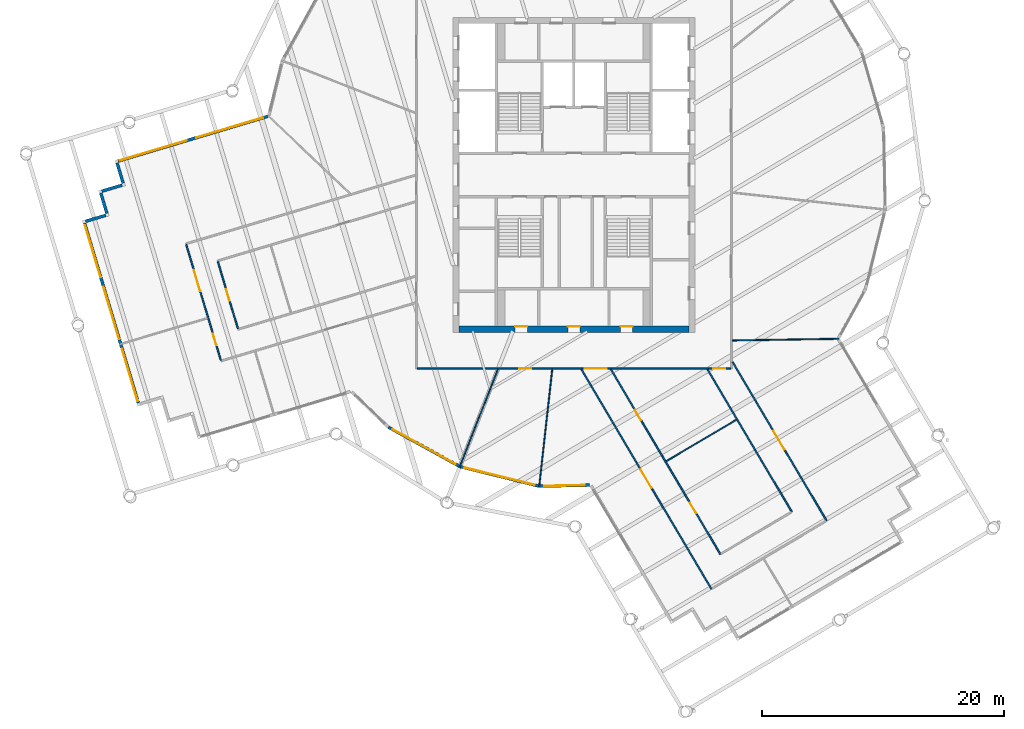
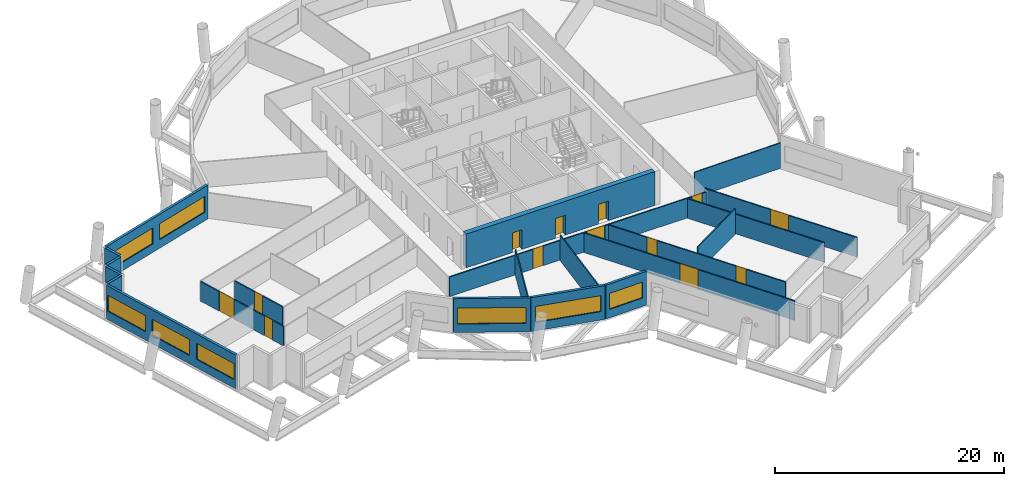
# One storey, part 3 of 11: 21 walls, 13 doors, 8 windows, 21 openings.
"""IFC4 building model written with IfcOpenShell, lengths in metres."""

from ifc_helpers import new_model, si_unit, direction, frame, frame_2d, origin, place, context, subcontext, project, spatial, rectangle, extrude, material, layer, layer_set, type_object, element, fill, save


model = new_model("IFC4")

# Units and contexts
model_context = context("Model", 3, precision=1e-05, world=origin(), true_north=direction((0.0, 1.0)))
body_context = subcontext(model_context, "Body", "Model", "MODEL_VIEW")
ifc_project = project(units=[si_unit("LENGTHUNIT", "METRE"), si_unit("AREAUNIT", "SQUARE_METRE"), si_unit("VOLUMEUNIT", "CUBIC_METRE"), si_unit("PLANEANGLEUNIT", "RADIAN"), si_unit("MASSUNIT", "GRAM", prefix="KILO")], contexts=[model_context])

# Site, building, storey
site_placement = place(None, origin())
site = spatial("IfcSite", under=ifc_project, at=site_placement, CompositionType="ELEMENT")
building_placement = place(site_placement, origin())
building = spatial("IfcBuilding", under=site, at=building_placement, Name="Tarsis Ring Headquarters", CompositionType="ELEMENT")
storey_placement = place(building_placement, frame((0.0, 0.0, 350.89990234375)))
storey = spatial("IfcBuildingStorey", under=building, at=storey_placement, Name="L83", CompositionType="ELEMENT", Elevation=350.89990234375)

# Wall, openings, doors
ifc_material_1 = material(Name="Concrete C50/60", Category="concrete")
ifc_layer_1 = layer(ifc_material_1, 0.5)
ifc_layer_set_1 = layer_set([ifc_layer_1], Name="Core wall 500 C50/60")
wall_type_1 = type_object("IfcWallType", Name="Core wall 500 C50/60", PredefinedType="SHEAR", material=ifc_layer_set_1)
wall_1_placement = place(storey_placement, frame((-9.5, -12.75, 0.0), z_axis=(0.0, 0.0, 1.0), x_axis=(1.0, 0.0, 0.0)))
wall_1 = element("IfcWall", 1, at=wall_1_placement, inside=storey, type_object=wall_type_1, Name="Core wall OS", PredefinedType="SHEAR", context=body_context, shape_type="SweptSolid", body=[
    extrude(rectangle(XDim=19.0, YDim=0.5, at=frame_2d((9.5, 0.0))), origin(), (0.0, 0.0, 1.0), 3.60009765625),
])
opening_1_placement = place(wall_1_placement, frame((4.64990234375, 0.0, 0.0)))
opening_1 = element("IfcOpeningElement", 2, at=opening_1_placement, cuts=wall_1, Name="Opening L83-C19", PredefinedType="OPENING", context=body_context, shape_type="SweptSolid", body=[
    extrude(rectangle(XDim=1.0, YDim=2.10009765625, at=frame_2d((0.5, 1.050048828125))), frame((0.0, 0.260009765625, 0.0), z_axis=(0.0, -1.0, 0.0), x_axis=(1.0, 0.0, 0.0)), (0.0, 0.0, 1.0), 0.52001953125),
])
opening_2_placement = place(wall_1_placement, frame((9.0, 0.0, 0.0)))
opening_2 = element("IfcOpeningElement", 3, at=opening_2_placement, cuts=wall_1, Name="Opening L83-C20", PredefinedType="OPENING", context=body_context, shape_type="SweptSolid", body=[
    extrude(rectangle(XDim=1.0, YDim=2.10009765625, at=frame_2d((0.5, 1.050048828125))), frame((0.0, 0.260009765625, 0.0), z_axis=(0.0, -1.0, 0.0), x_axis=(1.0, 0.0, 0.0)), (0.0, 0.0, 1.0), 0.52001953125),
])
opening_3_placement = place(wall_1_placement, frame((13.35009765625, 0.0, 0.0)))
opening_3 = element("IfcOpeningElement", 4, at=opening_3_placement, cuts=wall_1, Name="Opening L83-C21", PredefinedType="OPENING", context=body_context, shape_type="SweptSolid", body=[
    extrude(rectangle(XDim=1.0, YDim=2.10009765625, at=frame_2d((0.5, 1.050048828125))), frame((0.0, 0.260009765625, 0.0), z_axis=(0.0, -1.0, 0.0), x_axis=(1.0, 0.0, 0.0)), (0.0, 0.0, 1.0), 0.52001953125),
])
ifc_material_2 = material(Name="Steel S355", Category="steel")
door_type_1 = type_object("IfcDoorType", Name="Core room door 1000x2100", OperationType="SINGLE_SWING_LEFT", PredefinedType="DOOR", material=ifc_material_2)
door_1_placement = place(opening_1_placement, origin())
door_1 = element("IfcDoor", 5, at=door_1_placement, inside=storey, type_object=door_type_1, Name="Core room door L83", OperationType="SINGLE_SWING_LEFT", OverallHeight=2.10009765625, OverallWidth=1.0, PredefinedType="DOOR", context=body_context, shape_type="SweptSolid", body=[
    extrude(rectangle(XDim=1.0, YDim=2.10009765625, at=frame_2d((0.5, 1.050048828125))), frame((0.0, 0.25, 0.0), z_axis=(0.0, -1.0, 0.0), x_axis=(1.0, 0.0, 0.0)), (0.0, 0.0, 1.0), 0.050048828125),
])
fill(opening_1, door_1)
door_2_placement = place(opening_2_placement, origin())
door_2 = element("IfcDoor", 6, at=door_2_placement, inside=storey, type_object=door_type_1, Name="Core room door L83", OperationType="SINGLE_SWING_LEFT", OverallHeight=2.10009765625, OverallWidth=1.0, PredefinedType="DOOR", context=body_context, shape_type="SweptSolid", body=[
    extrude(rectangle(XDim=1.0, YDim=2.10009765625, at=frame_2d((0.5, 1.050048828125))), frame((0.0, 0.25, 0.0), z_axis=(0.0, -1.0, 0.0), x_axis=(1.0, 0.0, 0.0)), (0.0, 0.0, 1.0), 0.050048828125),
])
fill(opening_2, door_2)
door_3_placement = place(opening_3_placement, origin())
door_3 = element("IfcDoor", 7, at=door_3_placement, inside=storey, type_object=door_type_1, Name="Core room door L83", OperationType="SINGLE_SWING_LEFT", OverallHeight=2.10009765625, OverallWidth=1.0, PredefinedType="DOOR", context=body_context, shape_type="SweptSolid", body=[
    extrude(rectangle(XDim=1.0, YDim=2.10009765625, at=frame_2d((0.5, 1.050048828125))), frame((0.0, 0.25, 0.0), z_axis=(0.0, -1.0, 0.0), x_axis=(1.0, 0.0, 0.0)), (0.0, 0.0, 1.0), 0.050048828125),
])
fill(opening_3, door_3)

# Walls
ifc_material_3 = material(Name="Gypsum board on steel studs", Category="steel")
ifc_layer_2 = layer(ifc_material_3, 0.10009765625)
ifc_layer_set_2 = layer_set([ifc_layer_2], Name="FL partition 100 unrated")
wall_type_2 = type_object("IfcWallType", Name="FL partition 100 unrated", PredefinedType="PARTITIONING", material=ifc_layer_set_2)
wall_2_placement = place(storey_placement, frame((-2.87451171875, -25.7880859375, 0.0), z_axis=(0.0, 0.0, 1.0), x_axis=(0.110801449291, 0.993842562399, 0.0)))
element("IfcWall", 8, at=wall_2_placement, inside=storey, type_object=wall_type_2, Name="Partition PW3", PredefinedType="PARTITIONING", context=body_context, shape_type="SweptSolid", body=[
    extrude(rectangle(XDim=9.77880859375, YDim=0.10009765625, at=frame_2d((4.889404296875, 0.0))), origin(), (0.0, 0.0, 1.0), 2.7001953125),
])
wall_3_placement = place(storey_placement, frame((13.070068359375, -13.6787109375, 0.0), z_axis=(0.0, 0.0, 1.0), x_axis=(0.999879213275, 0.015542163937, 0.0)))
element("IfcWall", 9, at=wall_3_placement, inside=storey, type_object=wall_type_2, Name="Partition PW3", PredefinedType="PARTITIONING", context=body_context, shape_type="SweptSolid", body=[
    extrude(rectangle(XDim=8.812255859375, YDim=0.10009765625, at=frame_2d((4.40625, 0.0))), origin(), (0.0, 0.0, 1.0), 2.7001953125),
])
wall_4_placement = place(storey_placement, frame((-9.450927734375, -24.16552734375, 0.0), z_axis=(0.0, 0.0, 1.0), x_axis=(0.364223454374, 0.93131158872, 0.0)))
element("IfcWall", 10, at=wall_4_placement, inside=storey, type_object=wall_type_2, Name="Partition PW3", PredefinedType="PARTITIONING", context=body_context, shape_type="SweptSolid", body=[
    extrude(rectangle(XDim=8.687744140625, YDim=0.10009765625, at=frame_2d((4.34375, 0.0))), origin(), (0.0, 0.0, 1.0), 2.7001953125),
])
wall_5_placement = place(storey_placement, frame((7.630126953125, -23.65380859375, 0.0), z_axis=(0.0, 0.0, 1.0), x_axis=(0.86039301806, 0.509631096455, 0.0)))
element("IfcWall", 11, at=wall_5_placement, inside=storey, type_object=wall_type_2, Name="Partition PW3", PredefinedType="PARTITIONING", context=body_context, shape_type="SweptSolid", body=[
    extrude(rectangle(XDim=6.72021484375, YDim=0.10009765625, at=frame_2d((3.360107421875, 0.0))), origin(), (0.0, 0.0, 1.0), 2.7001953125),
])

# Wall, openings, doors
ifc_layer_3 = layer(ifc_material_3, 0.125)
ifc_layer_set_3 = layer_set([ifc_layer_3], Name="FL partition 125 EI 60 H2080")
wall_type_3 = type_object("IfcWallType", Name="FL partition 125 EI 60 H2080", PredefinedType="PARTITIONING", material=ifc_layer_set_3)
wall_6_placement = place(storey_placement, frame((-12.93994140625, -16.0, 0.0), z_axis=(0.0, 0.0, 1.0), x_axis=(1.0, 0.0, 0.0)))
wall_6 = element("IfcWall", 12, at=wall_6_placement, inside=storey, type_object=wall_type_3, Name="Partition PW1H208", PredefinedType="PARTITIONING", context=body_context, shape_type="SweptSolid", body=[
    extrude(rectangle(XDim=25.8798828125, YDim=0.125, at=frame_2d((12.93994140625, 0.0))), origin(), (0.0, 0.0, 1.0), 2.080078125),
])
opening_4_placement = place(wall_6_placement, frame((8.419677734375, 0.0, 0.0)))
opening_4 = element("IfcOpeningElement", 13, at=opening_4_placement, cuts=wall_6, Name="Opening D83.12", PredefinedType="OPENING", context=body_context, shape_type="SweptSolid", body=[
    extrude(rectangle(XDim=1.0, YDim=2.10009765625, at=frame_2d((0.5, 1.050048828125))), frame((0.0, 0.072509765625, 0.0), z_axis=(0.0, -1.0, 0.0), x_axis=(1.0, 0.0, 0.0)), (0.0, 0.0, 1.0), 0.14501953125),
])
opening_5_placement = place(wall_6_placement, frame((13.8349609375, 0.0, 0.0)))
opening_5 = element("IfcOpeningElement", 14, at=opening_5_placement, cuts=wall_6, Name="Opening D83.18", PredefinedType="OPENING", context=body_context, shape_type="SweptSolid", body=[
    extrude(rectangle(XDim=1.800048828125, YDim=2.10009765625, at=frame_2d((0.89990234375, 1.050048828125))), frame((0.0, 0.072509765625, 0.0), z_axis=(0.0, -1.0, 0.0), x_axis=(1.0, 0.0, 0.0)), (0.0, 0.0, 1.0), 0.14501953125),
])
opening_6_placement = place(wall_6_placement, frame((24.43408203125, 0.0, 0.0)))
opening_6 = element("IfcOpeningElement", 15, at=opening_6_placement, cuts=wall_6, Name="Opening D83.19", PredefinedType="OPENING", context=body_context, shape_type="SweptSolid", body=[
    extrude(rectangle(XDim=1.0, YDim=2.10009765625, at=frame_2d((0.5, 1.050048828125))), frame((0.0, 0.072509765625, 0.0), z_axis=(0.0, -1.0, 0.0), x_axis=(1.0, 0.0, 0.0)), (0.0, 0.0, 1.0), 0.14501953125),
])
ifc_material_4 = material(Name="Fire-rated timber door leaf in steel frame", Category="steel")
door_type_2 = type_object("IfcDoorType", Name="FL door FD60-1000", OperationType="NOTDEFINED", PredefinedType="DOOR", material=ifc_material_4)
door_4_placement = place(opening_4_placement, origin())
door_4 = element("IfcDoor", 16, at=door_4_placement, inside=storey, type_object=door_type_2, Name="Door D83.12", OperationType="SINGLE_SWING_LEFT", OverallHeight=2.10009765625, OverallWidth=1.0, PredefinedType="DOOR", context=body_context, shape_type="SweptSolid", body=[
    extrude(rectangle(XDim=1.0, YDim=2.10009765625, at=frame_2d((0.5, 1.050048828125))), frame((0.0, 0.02490234375, 0.0), z_axis=(0.0, -1.0, 0.0), x_axis=(1.0, 0.0, 0.0)), (0.0, 0.0, 1.0), 0.050048828125),
])
fill(opening_4, door_4)
door_5_placement = place(opening_6_placement, origin())
door_5 = element("IfcDoor", 17, at=door_5_placement, inside=storey, type_object=door_type_2, Name="Door D83.19", OperationType="SINGLE_SWING_RIGHT", OverallHeight=2.10009765625, OverallWidth=1.0, PredefinedType="DOOR", context=body_context, shape_type="SweptSolid", body=[
    extrude(rectangle(XDim=1.0, YDim=2.10009765625, at=frame_2d((0.5, 1.050048828125))), frame((0.0, 0.02490234375, 0.0), z_axis=(0.0, -1.0, 0.0), x_axis=(1.0, 0.0, 0.0)), (0.0, 0.0, 1.0), 0.050048828125),
])
fill(opening_6, door_5)
door_type_3 = type_object("IfcDoorType", Name="FL door FD60-1800", OperationType="DOUBLE_DOOR_SINGLE_SWING", PredefinedType="DOOR", material=ifc_material_4)
door_6_placement = place(opening_5_placement, origin())
door_6 = element("IfcDoor", 18, at=door_6_placement, inside=storey, type_object=door_type_3, Name="Door D83.18", OperationType="DOUBLE_DOOR_SINGLE_SWING", OverallHeight=2.10009765625, OverallWidth=1.800048828125, PredefinedType="DOOR", context=body_context, shape_type="SweptSolid", body=[
    extrude(rectangle(XDim=1.800048828125, YDim=2.10009765625, at=frame_2d((0.89990234375, 1.050048828125))), frame((0.0, 0.02490234375, 0.0), z_axis=(0.0, -1.0, 0.0), x_axis=(1.0, 0.0, 0.0)), (0.0, 0.0, 1.0), 0.050048828125),
])
fill(opening_5, door_6)

# Wall, opening, door
wall_7_placement = place(storey_placement, frame((0.62548828125, -16.0859375, 0.0), z_axis=(0.0, 0.0, 1.0), x_axis=(0.509630794989, -0.860393196625, 0.0)))
wall_7 = element("IfcWall", 19, at=wall_7_placement, inside=storey, type_object=wall_type_3, Name="Partition PW1H208", PredefinedType="PARTITIONING", context=body_context, shape_type="SweptSolid", body=[
    extrude(rectangle(XDim=21.06103515625, YDim=0.125, at=frame_2d((10.530517578125, 0.0))), origin(), (0.0, 0.0, 1.0), 2.080078125),
])
opening_7_placement = place(wall_7_placement, frame((9.58056640625, 0.0, 0.0)))
opening_7 = element("IfcOpeningElement", 20, at=opening_7_placement, cuts=wall_7, Name="Opening D83.11", PredefinedType="OPENING", context=body_context, shape_type="SweptSolid", body=[
    extrude(rectangle(XDim=1.800048828125, YDim=2.10009765625, at=frame_2d((0.89990234375, 1.050048828125))), frame((0.0, 0.072509765625, 0.0), z_axis=(0.0, -1.0, 0.0), x_axis=(1.0, 0.0, 0.0)), (0.0, 0.0, 1.0), 0.14501953125),
])
door_7_placement = place(opening_7_placement, origin())
door_7 = element("IfcDoor", 21, at=door_7_placement, inside=storey, type_object=door_type_3, Name="Door D83.11", OperationType="DOUBLE_DOOR_SINGLE_SWING", OverallHeight=2.10009765625, OverallWidth=1.800048828125, PredefinedType="DOOR", context=body_context, shape_type="SweptSolid", body=[
    extrude(rectangle(XDim=1.800048828125, YDim=2.10009765625, at=frame_2d((0.89990234375, 1.050048828125))), frame((0.0, 0.02490234375, 0.0), z_axis=(0.0, -1.0, 0.0), x_axis=(1.0, 0.0, 0.0)), (0.0, 0.0, 1.0), 0.050048828125),
])
fill(opening_7, door_7)

# Wall, openings, doors
wall_8_placement = place(storey_placement, frame((3.066162109375, -16.0859375, 0.0), z_axis=(0.0, 0.0, 1.0), x_axis=(0.509646383246, -0.860383963149, 0.0)))
wall_8 = element("IfcWall", 22, at=wall_8_placement, inside=storey, type_object=wall_type_3, Name="Partition PW1H208", PredefinedType="PARTITIONING", context=body_context, shape_type="SweptSolid", body=[
    extrude(rectangle(XDim=17.71728515625, YDim=0.125, at=frame_2d((8.858642578125, 0.0))), origin(), (0.0, 0.0, 1.0), 2.080078125),
])
opening_8_placement = place(wall_8_placement, frame((3.869140625, 0.0, 0.0)))
opening_8 = element("IfcOpeningElement", 23, at=opening_8_placement, cuts=wall_8, Name="Opening D83.16", PredefinedType="OPENING", context=body_context, shape_type="SweptSolid", body=[
    extrude(rectangle(XDim=1.0, YDim=2.10009765625, at=frame_2d((0.5, 1.050048828125))), frame((0.0, 0.072509765625, 0.0), z_axis=(0.0, -1.0, 0.0), x_axis=(1.0, 0.0, 0.0)), (0.0, 0.0, 1.0), 0.14501953125),
])
opening_9_placement = place(wall_8_placement, frame((12.777587890625, 0.0, 0.0)))
opening_9 = element("IfcOpeningElement", 24, at=opening_9_placement, cuts=wall_8, Name="Opening D83.17", PredefinedType="OPENING", context=body_context, shape_type="SweptSolid", body=[
    extrude(rectangle(XDim=1.0, YDim=2.10009765625, at=frame_2d((0.5, 1.050048828125))), frame((0.0, 0.072509765625, 0.0), z_axis=(0.0, -1.0, 0.0), x_axis=(1.0, 0.0, 0.0)), (0.0, 0.0, 1.0), 0.14501953125),
])
door_8_placement = place(opening_8_placement, origin())
door_8 = element("IfcDoor", 25, at=door_8_placement, inside=storey, type_object=door_type_2, Name="Door D83.16", OperationType="SINGLE_SWING_LEFT", OverallHeight=2.10009765625, OverallWidth=1.0, PredefinedType="DOOR", context=body_context, shape_type="SweptSolid", body=[
    extrude(rectangle(XDim=1.0, YDim=2.10009765625, at=frame_2d((0.5, 1.050048828125))), frame((0.0, 0.02490234375, 0.0), z_axis=(0.0, -1.0, 0.0), x_axis=(1.0, 0.0, 0.0)), (0.0, 0.0, 1.0), 0.050048828125),
])
fill(opening_8, door_8)
door_9_placement = place(opening_9_placement, origin())
door_9 = element("IfcDoor", 26, at=door_9_placement, inside=storey, type_object=door_type_2, Name="Door D83.17", OperationType="SINGLE_SWING_RIGHT", OverallHeight=2.10009765625, OverallWidth=1.0, PredefinedType="DOOR", context=body_context, shape_type="SweptSolid", body=[
    extrude(rectangle(XDim=1.0, YDim=2.10009765625, at=frame_2d((0.5, 1.050048828125))), frame((0.0, 0.02490234375, 0.0), z_axis=(0.0, -1.0, 0.0), x_axis=(1.0, 0.0, 0.0)), (0.0, 0.0, 1.0), 0.050048828125),
])
fill(opening_9, door_9)

# Wall, opening, door
wall_9_placement = place(storey_placement, frame((13.10693359375, -15.456298828125, 0.0), z_axis=(0.0, 0.0, 1.0), x_axis=(0.509653978317, -0.860379464182, 0.0)))
wall_9 = element("IfcWall", 27, at=wall_9_placement, inside=storey, type_object=wall_type_3, Name="Partition PW1H208", PredefinedType="PARTITIONING", context=body_context, shape_type="SweptSolid", body=[
    extrude(rectangle(XDim=15.241943359375, YDim=0.125, at=frame_2d((7.62109375, 0.0))), origin(), (0.0, 0.0, 1.0), 2.080078125),
])
opening_10_placement = place(wall_9_placement, frame((6.615966796875, 0.0, 0.0)))
opening_10 = element("IfcOpeningElement", 28, at=opening_10_placement, cuts=wall_9, Name="Opening D83.10", PredefinedType="OPENING", context=body_context, shape_type="SweptSolid", body=[
    extrude(rectangle(XDim=1.800048828125, YDim=2.10009765625, at=frame_2d((0.89990234375, 1.050048828125))), frame((0.0, 0.072509765625, 0.0), z_axis=(0.0, -1.0, 0.0), x_axis=(1.0, 0.0, 0.0)), (0.0, 0.0, 1.0), 0.14501953125),
])
door_10_placement = place(opening_10_placement, origin())
door_10 = element("IfcDoor", 29, at=door_10_placement, inside=storey, type_object=door_type_3, Name="Door D83.10", OperationType="DOUBLE_DOOR_SINGLE_SWING", OverallHeight=2.10009765625, OverallWidth=1.800048828125, PredefinedType="DOOR", context=body_context, shape_type="SweptSolid", body=[
    extrude(rectangle(XDim=1.800048828125, YDim=2.10009765625, at=frame_2d((0.89990234375, 1.050048828125))), frame((0.0, 0.02490234375, 0.0), z_axis=(0.0, -1.0, 0.0), x_axis=(1.0, 0.0, 0.0)), (0.0, 0.0, 1.0), 0.050048828125),
])
fill(opening_10, door_10)

# Wall
wall_10_placement = place(storey_placement, frame((11.039306640625, -16.0859375, 0.0), z_axis=(0.0, 0.0, 1.0), x_axis=(0.509638676411, -0.860388528228, 0.0)))
element("IfcWall", 30, at=wall_10_placement, inside=storey, type_object=wall_type_3, Name="Partition PW1H208", PredefinedType="PARTITIONING", context=body_context, shape_type="SweptSolid", body=[
    extrude(rectangle(XDim=13.65380859375, YDim=0.125, at=frame_2d((6.826904296875, 0.0))), origin(), (0.0, 0.0, 1.0), 2.080078125),
])

# Wall, openings, doors
wall_11_placement = place(storey_placement, frame((-32.024169921875, -5.751220703125, 0.0), z_axis=(0.0, 0.0, 1.0), x_axis=(0.286364722714, -0.958120684249, 0.0)))
wall_11 = element("IfcWall", 31, at=wall_11_placement, inside=storey, type_object=wall_type_3, Name="Partition PW1H208", PredefinedType="PARTITIONING", context=body_context, shape_type="SweptSolid", body=[
    extrude(rectangle(XDim=9.97998046875, YDim=0.125, at=frame_2d((4.989990234375, 0.0))), origin(), (0.0, 0.0, 1.0), 2.080078125),
])
opening_11_placement = place(wall_11_placement, frame((7.683349609375, 0.0, 0.0)))
opening_11 = element("IfcOpeningElement", 32, at=opening_11_placement, cuts=wall_11, Name="Opening D83.01", PredefinedType="OPENING", context=body_context, shape_type="SweptSolid", body=[
    extrude(rectangle(XDim=1.0, YDim=2.10009765625, at=frame_2d((0.5, 1.050048828125))), frame((0.0, 0.072509765625, 0.0), z_axis=(0.0, -1.0, 0.0), x_axis=(1.0, 0.0, 0.0)), (0.0, 0.0, 1.0), 0.14501953125),
])
opening_12_placement = place(wall_11_placement, frame((2.2333984375, 0.0, 0.0)))
opening_12 = element("IfcOpeningElement", 33, at=opening_12_placement, cuts=wall_11, Name="Opening D83.02", PredefinedType="OPENING", context=body_context, shape_type="SweptSolid", body=[
    extrude(rectangle(XDim=1.800048828125, YDim=2.10009765625, at=frame_2d((0.89990234375, 1.050048828125))), frame((0.0, 0.072509765625, 0.0), z_axis=(0.0, -1.0, 0.0), x_axis=(1.0, 0.0, 0.0)), (0.0, 0.0, 1.0), 0.14501953125),
])
door_11_placement = place(opening_11_placement, origin())
door_11 = element("IfcDoor", 34, at=door_11_placement, inside=storey, type_object=door_type_2, Name="Door D83.01", OperationType="SINGLE_SWING_RIGHT", OverallHeight=2.10009765625, OverallWidth=1.0, PredefinedType="DOOR", context=body_context, shape_type="SweptSolid", body=[
    extrude(rectangle(XDim=1.0, YDim=2.10009765625, at=frame_2d((0.5, 1.050048828125))), frame((0.0, 0.02490234375, 0.0), z_axis=(0.0, -1.0, 0.0), x_axis=(1.0, 0.0, 0.0)), (0.0, 0.0, 1.0), 0.050048828125),
])
fill(opening_11, door_11)
door_12_placement = place(opening_12_placement, origin())
door_12 = element("IfcDoor", 35, at=door_12_placement, inside=storey, type_object=door_type_3, Name="Door D83.02", OperationType="DOUBLE_DOOR_SINGLE_SWING", OverallHeight=2.10009765625, OverallWidth=1.800048828125, PredefinedType="DOOR", context=body_context, shape_type="SweptSolid", body=[
    extrude(rectangle(XDim=1.800048828125, YDim=2.10009765625, at=frame_2d((0.89990234375, 1.050048828125))), frame((0.0, 0.02490234375, 0.0), z_axis=(0.0, -1.0, 0.0), x_axis=(1.0, 0.0, 0.0)), (0.0, 0.0, 1.0), 0.050048828125),
])
fill(opening_12, door_12)

# Wall, opening, door
wall_12_placement = place(storey_placement, frame((-29.410888671875, -7.161865234375, 0.0), z_axis=(0.0, 0.0, 1.0), x_axis=(0.286371232883, -0.958118738454, 0.0)))
wall_12 = element("IfcWall", 36, at=wall_12_placement, inside=storey, type_object=wall_type_3, Name="Partition PW1H208", PredefinedType="PARTITIONING", context=body_context, shape_type="SweptSolid", body=[
    extrude(rectangle(XDim=5.7802734375, YDim=0.125, at=frame_2d((2.89013671875, 0.0))), origin(), (0.0, 0.0, 1.0), 2.080078125),
])
opening_13_placement = place(wall_12_placement, frame((2.389892578125, 0.0, 0.0)))
opening_13 = element("IfcOpeningElement", 37, at=opening_13_placement, cuts=wall_12, Name="Opening D83.15", PredefinedType="OPENING", context=body_context, shape_type="SweptSolid", body=[
    extrude(rectangle(XDim=1.0, YDim=2.10009765625, at=frame_2d((0.5, 1.050048828125))), frame((0.0, 0.072509765625, 0.0), z_axis=(0.0, -1.0, 0.0), x_axis=(1.0, 0.0, 0.0)), (0.0, 0.0, 1.0), 0.14501953125),
])
door_13_placement = place(opening_13_placement, origin())
door_13 = element("IfcDoor", 38, at=door_13_placement, inside=storey, type_object=door_type_2, Name="Door D83.15", OperationType="SINGLE_SWING_RIGHT", OverallHeight=2.10009765625, OverallWidth=1.0, PredefinedType="DOOR", context=body_context, shape_type="SweptSolid", body=[
    extrude(rectangle(XDim=1.0, YDim=2.10009765625, at=frame_2d((0.5, 1.050048828125))), frame((0.0, 0.02490234375, 0.0), z_axis=(0.0, -1.0, 0.0), x_axis=(1.0, 0.0, 0.0)), (0.0, 0.0, 1.0), 0.050048828125),
])
fill(opening_13, door_13)

# Wall, opening, window
ifc_material_5 = material(Name="Terracotta clad insulated panel wall", Category="masonry")
ifc_layer_4 = layer(ifc_material_5, 0.25)
ifc_layer_set_4 = layer_set([ifc_layer_4], Name="Facade wall terracotta panel 250")
wall_type_4 = type_object("IfcWallType", Name="Facade wall terracotta panel 250", PredefinedType="STANDARD", material=ifc_layer_set_4)
wall_13_placement = place(storey_placement, frame((-15.3251953125, -20.844482421875, 0.0), z_axis=(0.0, 0.0, 1.0), x_axis=(0.875810682502, -0.482654792182, 0.0)))
wall_13 = element("IfcWall", 39, at=wall_13_placement, inside=storey, type_object=wall_type_4, Name="External wall L83-03", PredefinedType="STANDARD", context=body_context, shape_type="SweptSolid", body=[
    extrude(rectangle(XDim=6.721435546875, YDim=0.25, at=frame_2d((3.36083984375, 0.0))), origin(), (0.0, 0.0, 1.0), 3.60009765625),
])
opening_14_placement = place(wall_13_placement, frame((0.3857421875, 0.0, 0.89990234375)))
opening_14 = element("IfcOpeningElement", 40, at=opening_14_placement, cuts=wall_13, Name="Opening WN07", PredefinedType="OPENING", context=body_context, shape_type="SweptSolid", body=[
    extrude(rectangle(XDim=5.949951171875, YDim=1.699951171875, at=frame_2d((2.97509765625, 0.85009765625))), frame((0.0, 0.135009765625, 0.0), z_axis=(0.0, -1.0, 0.0), x_axis=(1.0, 0.0, 0.0)), (0.0, 0.0, 1.0), 0.27001953125),
])
ifc_material_6 = material(Name="Aluminium framed double glazing", Category="aluminium")
window_type_1 = type_object("IfcWindowType", Name="Facade window 5950 x 1700", PartitioningType="SINGLE_PANEL", PredefinedType="WINDOW", material=ifc_material_6)
window_1_placement = place(opening_14_placement, origin())
window_1 = element("IfcWindow", 41, at=window_1_placement, inside=storey, type_object=window_type_1, Name="Window L83-03.1", OverallHeight=1.699951171875, OverallWidth=5.949951171875, PartitioningType="SINGLE_PANEL", PredefinedType="WINDOW", context=body_context, shape_type="SweptSolid", body=[
    extrude(rectangle(XDim=5.949951171875, YDim=1.699951171875, at=frame_2d((2.97509765625, 0.85009765625))), frame((0.0, 0.030029296875, 0.0), z_axis=(0.0, -1.0, 0.0), x_axis=(1.0, 0.0, 0.0)), (0.0, 0.0, 1.0), 0.06005859375),
])
fill(opening_14, window_1)

wall_14_placement = place(storey_placement, frame((-9.407958984375, -24.1005859375, 0.0), z_axis=(0.0, 0.0, 1.0), x_axis=(0.970885693583, -0.239543252869, 0.0)))
wall_14 = element("IfcWall", 42, at=wall_14_placement, inside=storey, type_object=wall_type_4, Name="External wall L83-04", PredefinedType="STANDARD", context=body_context, shape_type="SweptSolid", body=[
    extrude(rectangle(XDim=6.7216796875, YDim=0.25, at=frame_2d((3.36083984375, 0.0))), origin(), (0.0, 0.0, 1.0), 3.60009765625),
])
opening_15_placement = place(wall_14_placement, frame((0.3857421875, 0.0, 0.89990234375)))
opening_15 = element("IfcOpeningElement", 43, at=opening_15_placement, cuts=wall_14, Name="Opening WN07", PredefinedType="OPENING", context=body_context, shape_type="SweptSolid", body=[
    extrude(rectangle(XDim=5.949951171875, YDim=1.699951171875, at=frame_2d((2.97509765625, 0.85009765625))), frame((0.0, 0.135009765625, 0.0), z_axis=(0.0, -1.0, 0.0), x_axis=(1.0, 0.0, 0.0)), (0.0, 0.0, 1.0), 0.27001953125),
])
window_2_placement = place(opening_15_placement, origin())
window_2 = element("IfcWindow", 44, at=window_2_placement, inside=storey, type_object=window_type_1, Name="Window L83-04.1", OverallHeight=1.699951171875, OverallWidth=5.949951171875, PartitioningType="SINGLE_PANEL", PredefinedType="WINDOW", context=body_context, shape_type="SweptSolid", body=[
    extrude(rectangle(XDim=5.949951171875, YDim=1.699951171875, at=frame_2d((2.97509765625, 0.85009765625))), frame((0.0, 0.030029296875, 0.0), z_axis=(0.0, -1.0, 0.0), x_axis=(1.0, 0.0, 0.0)), (0.0, 0.0, 1.0), 0.06005859375),
])
fill(opening_15, window_2)

wall_15_placement = place(storey_placement, frame((-2.849853515625, -25.71435546875, 0.0), z_axis=(0.0, 0.0, 1.0), x_axis=(0.999801840436, 0.019906779273, 0.0)))
wall_15 = element("IfcWall", 45, at=wall_15_placement, inside=storey, type_object=wall_type_4, Name="External wall L83-05", PredefinedType="STANDARD", context=body_context, shape_type="SweptSolid", body=[
    extrude(rectangle(XDim=4.157470703125, YDim=0.25, at=frame_2d((2.07861328125, 0.0))), origin(), (0.0, 0.0, 1.0), 3.60009765625),
])
opening_16_placement = place(wall_15_placement, frame((0.38720703125, 0.0, 0.89990234375)))
opening_16 = element("IfcOpeningElement", 46, at=opening_16_placement, cuts=wall_15, Name="Opening WN01", PredefinedType="OPENING", context=body_context, shape_type="SweptSolid", body=[
    extrude(rectangle(XDim=3.35009765625, YDim=1.699951171875, at=frame_2d((1.675048828125, 0.85009765625))), frame((0.0, 0.135009765625, 0.0), z_axis=(0.0, -1.0, 0.0), x_axis=(1.0, 0.0, 0.0)), (0.0, 0.0, 1.0), 0.27001953125),
])
window_type_2 = type_object("IfcWindowType", Name="Facade window 3350 x 1700", PartitioningType="SINGLE_PANEL", PredefinedType="WINDOW", material=ifc_material_6)
window_3_placement = place(opening_16_placement, origin())
window_3 = element("IfcWindow", 47, at=window_3_placement, inside=storey, type_object=window_type_2, Name="Window L83-05.1", OverallHeight=1.699951171875, OverallWidth=3.35009765625, PartitioningType="SINGLE_PANEL", PredefinedType="WINDOW", context=body_context, shape_type="SweptSolid", body=[
    extrude(rectangle(XDim=3.35009765625, YDim=1.699951171875, at=frame_2d((1.675048828125, 0.85009765625))), frame((0.0, 0.030029296875, 0.0), z_axis=(0.0, -1.0, 0.0), x_axis=(1.0, 0.0, 0.0)), (0.0, 0.0, 1.0), 0.06005859375),
])
fill(opening_16, window_3)

# Wall, openings, windows
wall_16_placement = place(storey_placement, frame((-25.292236328125, 4.834716796875, 0.0), z_axis=(0.0, 0.0, 1.0), x_axis=(-0.958124207015, -0.286352935959, 0.0)))
wall_16 = element("IfcWall", 48, at=wall_16_placement, inside=storey, type_object=wall_type_4, Name="External wall L83-31", PredefinedType="STANDARD", context=body_context, shape_type="SweptSolid", body=[
    extrude(rectangle(XDim=12.9013671875, YDim=0.25, at=frame_2d((6.45068359375, 0.0))), origin(), (0.0, 0.0, 1.0), 3.60009765625),
])
opening_17_placement = place(wall_16_placement, frame((0.412841796875, 0.0, 0.89990234375)))
opening_17 = element("IfcOpeningElement", 49, at=opening_17_placement, cuts=wall_16, Name="Opening WN06", PredefinedType="OPENING", context=body_context, shape_type="SweptSolid", body=[
    extrude(rectangle(XDim=5.75, YDim=1.699951171875, at=frame_2d((2.875, 0.85009765625))), frame((0.0, 0.135009765625, 0.0), z_axis=(0.0, -1.0, 0.0), x_axis=(1.0, 0.0, 0.0)), (0.0, 0.0, 1.0), 0.27001953125),
])
opening_18_placement = place(wall_16_placement, frame((6.988525390625, 0.0, 0.89990234375)))
opening_18 = element("IfcOpeningElement", 50, at=opening_18_placement, cuts=wall_16, Name="Opening WN06", PredefinedType="OPENING", context=body_context, shape_type="SweptSolid", body=[
    extrude(rectangle(XDim=5.75, YDim=1.699951171875, at=frame_2d((2.875, 0.85009765625))), frame((0.0, 0.135009765625, 0.0), z_axis=(0.0, -1.0, 0.0), x_axis=(1.0, 0.0, 0.0)), (0.0, 0.0, 1.0), 0.27001953125),
])
window_type_3 = type_object("IfcWindowType", Name="Facade window 5750 x 1700", PartitioningType="SINGLE_PANEL", PredefinedType="WINDOW", material=ifc_material_6)
window_4_placement = place(opening_17_placement, origin())
window_4 = element("IfcWindow", 51, at=window_4_placement, inside=storey, type_object=window_type_3, Name="Window L83-31.1", OverallHeight=1.699951171875, OverallWidth=5.75, PartitioningType="SINGLE_PANEL", PredefinedType="WINDOW", context=body_context, shape_type="SweptSolid", body=[
    extrude(rectangle(XDim=5.75, YDim=1.699951171875, at=frame_2d((2.875, 0.85009765625))), frame((0.0, 0.030029296875, 0.0), z_axis=(0.0, -1.0, 0.0), x_axis=(1.0, 0.0, 0.0)), (0.0, 0.0, 1.0), 0.06005859375),
])
fill(opening_17, window_4)
window_5_placement = place(opening_18_placement, origin())
window_5 = element("IfcWindow", 52, at=window_5_placement, inside=storey, type_object=window_type_3, Name="Window L83-31.2", OverallHeight=1.699951171875, OverallWidth=5.75, PartitioningType="SINGLE_PANEL", PredefinedType="WINDOW", context=body_context, shape_type="SweptSolid", body=[
    extrude(rectangle(XDim=5.75, YDim=1.699951171875, at=frame_2d((2.875, 0.85009765625))), frame((0.0, 0.030029296875, 0.0), z_axis=(0.0, -1.0, 0.0), x_axis=(1.0, 0.0, 0.0)), (0.0, 0.0, 1.0), 0.06005859375),
])
fill(opening_18, window_5)

# Walls
wall_17_placement = place(storey_placement, frame((-37.7373046875, 0.98486328125, 0.0), z_axis=(0.0, 0.0, 1.0), x_axis=(0.286272588868, -0.958148216542, 0.0)))
element("IfcWall", 53, at=wall_17_placement, inside=storey, type_object=wall_type_4, Name="External wall L83-32", PredefinedType="STANDARD", context=body_context, shape_type="SweptSolid", body=[
    extrude(rectangle(XDim=1.75, YDim=0.25, at=frame_2d((0.875, 0.0))), origin(), (0.0, 0.0, 1.0), 3.60009765625),
])
wall_18_placement = place(storey_placement, frame((-37.3203125, -0.847412109375, 0.0), z_axis=(0.0, 0.0, 1.0), x_axis=(-0.958098498238, -0.286438942316, 0.0)))
element("IfcWall", 54, at=wall_18_placement, inside=storey, type_object=wall_type_4, Name="External wall L83-33", PredefinedType="STANDARD", context=body_context, shape_type="SweptSolid", body=[
    extrude(rectangle(XDim=1.749755859375, YDim=0.25, at=frame_2d((0.875, 0.0))), origin(), (0.0, 0.0, 1.0), 3.60009765625),
])
wall_19_placement = place(storey_placement, frame((-39.080810546875, -1.504150390625, 0.0), z_axis=(0.0, 0.0, 1.0), x_axis=(0.286272588868, -0.958148216542, 0.0)))
element("IfcWall", 55, at=wall_19_placement, inside=storey, type_object=wall_type_4, Name="External wall L83-34", PredefinedType="STANDARD", context=body_context, shape_type="SweptSolid", body=[
    extrude(rectangle(XDim=1.75, YDim=0.25, at=frame_2d((0.875, 0.0))), origin(), (0.0, 0.0, 1.0), 3.60009765625),
])
wall_20_placement = place(storey_placement, frame((-38.663818359375, -3.33642578125, 0.0), z_axis=(0.0, 0.0, 1.0), x_axis=(-0.958136781204, -0.286310859914, 0.0)))
element("IfcWall", 56, at=wall_20_placement, inside=storey, type_object=wall_type_4, Name="External wall L83-35", PredefinedType="STANDARD", context=body_context, shape_type="SweptSolid", body=[
    extrude(rectangle(XDim=1.749755859375, YDim=0.25, at=frame_2d((0.875, 0.0))), origin(), (0.0, 0.0, 1.0), 3.60009765625),
])

# Wall, openings, windows
wall_21_placement = place(storey_placement, frame((-40.42431640625, -3.9931640625, 0.0), z_axis=(0.0, 0.0, 1.0), x_axis=(0.286354978475, -0.958123596569, 0.0)))
wall_21 = element("IfcWall", 57, at=wall_21_placement, inside=storey, type_object=wall_type_4, Name="External wall L83-36", PredefinedType="STANDARD", context=body_context, shape_type="SweptSolid", body=[
    extrude(rectangle(XDim=15.5, YDim=0.25, at=frame_2d((7.75, 0.0))), origin(), (0.0, 0.0, 1.0), 3.60009765625),
])
opening_19_placement = place(wall_21_placement, frame((0.166748046875, 0.0, 0.89990234375)))
opening_19 = element("IfcOpeningElement", 58, at=opening_19_placement, cuts=wall_21, Name="Opening WN04", PredefinedType="OPENING", context=body_context, shape_type="SweptSolid", body=[
    extrude(rectangle(XDim=4.5, YDim=1.699951171875, at=frame_2d((2.25, 0.85009765625))), frame((0.0, 0.135009765625, 0.0), z_axis=(0.0, -1.0, 0.0), x_axis=(1.0, 0.0, 0.0)), (0.0, 0.0, 1.0), 0.27001953125),
])
opening_20_placement = place(wall_21_placement, frame((5.5, 0.0, 0.89990234375)))
opening_20 = element("IfcOpeningElement", 59, at=opening_20_placement, cuts=wall_21, Name="Opening WN04", PredefinedType="OPENING", context=body_context, shape_type="SweptSolid", body=[
    extrude(rectangle(XDim=4.5, YDim=1.699951171875, at=frame_2d((2.25, 0.85009765625))), frame((0.0, 0.135009765625, 0.0), z_axis=(0.0, -1.0, 0.0), x_axis=(1.0, 0.0, 0.0)), (0.0, 0.0, 1.0), 0.27001953125),
])
opening_21_placement = place(wall_21_placement, frame((10.833251953125, 0.0, 0.89990234375)))
opening_21 = element("IfcOpeningElement", 60, at=opening_21_placement, cuts=wall_21, Name="Opening WN04", PredefinedType="OPENING", context=body_context, shape_type="SweptSolid", body=[
    extrude(rectangle(XDim=4.5, YDim=1.699951171875, at=frame_2d((2.25, 0.85009765625))), frame((0.0, 0.135009765625, 0.0), z_axis=(0.0, -1.0, 0.0), x_axis=(1.0, 0.0, 0.0)), (0.0, 0.0, 1.0), 0.27001953125),
])
window_type_4 = type_object("IfcWindowType", Name="Facade window 4500 x 1700", PartitioningType="SINGLE_PANEL", PredefinedType="WINDOW", material=ifc_material_6)
window_6_placement = place(opening_19_placement, origin())
window_6 = element("IfcWindow", 61, at=window_6_placement, inside=storey, type_object=window_type_4, Name="Window L83-36.1", OverallHeight=1.699951171875, OverallWidth=4.5, PartitioningType="SINGLE_PANEL", PredefinedType="WINDOW", context=body_context, shape_type="SweptSolid", body=[
    extrude(rectangle(XDim=4.5, YDim=1.699951171875, at=frame_2d((2.25, 0.85009765625))), frame((0.0, 0.030029296875, 0.0), z_axis=(0.0, -1.0, 0.0), x_axis=(1.0, 0.0, 0.0)), (0.0, 0.0, 1.0), 0.06005859375),
])
fill(opening_19, window_6)
window_7_placement = place(opening_20_placement, origin())
window_7 = element("IfcWindow", 62, at=window_7_placement, inside=storey, type_object=window_type_4, Name="Window L83-36.2", OverallHeight=1.699951171875, OverallWidth=4.5, PartitioningType="SINGLE_PANEL", PredefinedType="WINDOW", context=body_context, shape_type="SweptSolid", body=[
    extrude(rectangle(XDim=4.5, YDim=1.699951171875, at=frame_2d((2.25, 0.85009765625))), frame((0.0, 0.030029296875, 0.0), z_axis=(0.0, -1.0, 0.0), x_axis=(1.0, 0.0, 0.0)), (0.0, 0.0, 1.0), 0.06005859375),
])
fill(opening_20, window_7)
window_8_placement = place(opening_21_placement, origin())
window_8 = element("IfcWindow", 63, at=window_8_placement, inside=storey, type_object=window_type_4, Name="Window L83-36.3", OverallHeight=1.699951171875, OverallWidth=4.5, PartitioningType="SINGLE_PANEL", PredefinedType="WINDOW", context=body_context, shape_type="SweptSolid", body=[
    extrude(rectangle(XDim=4.5, YDim=1.699951171875, at=frame_2d((2.25, 0.85009765625))), frame((0.0, 0.030029296875, 0.0), z_axis=(0.0, -1.0, 0.0), x_axis=(1.0, 0.0, 0.0)), (0.0, 0.0, 1.0), 0.06005859375),
])
fill(opening_21, window_8)

save(model, "model.ifc")
